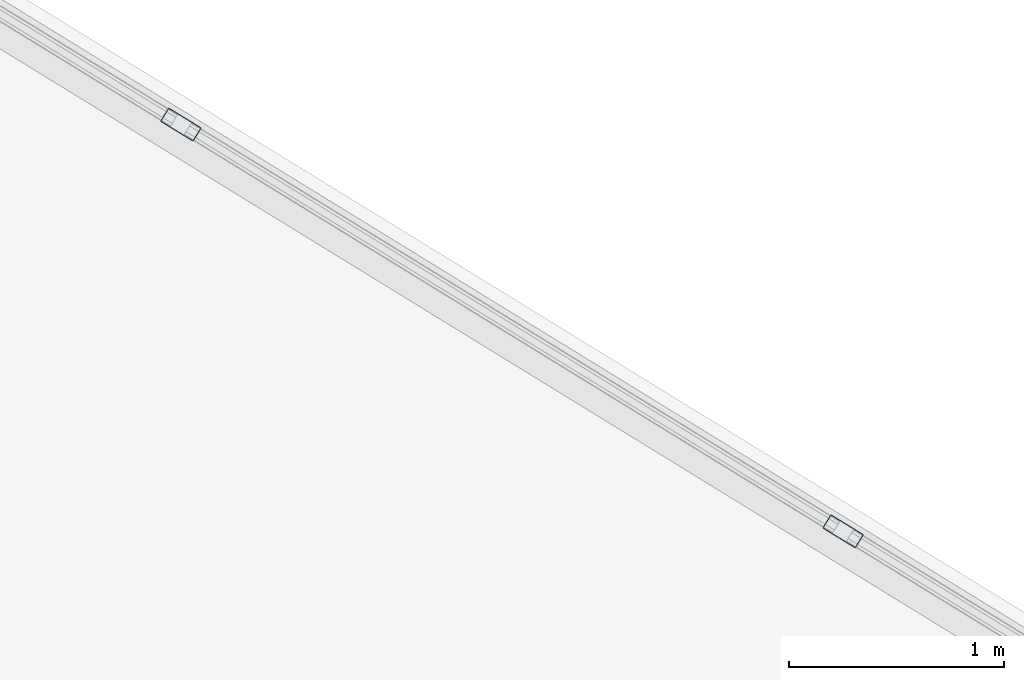
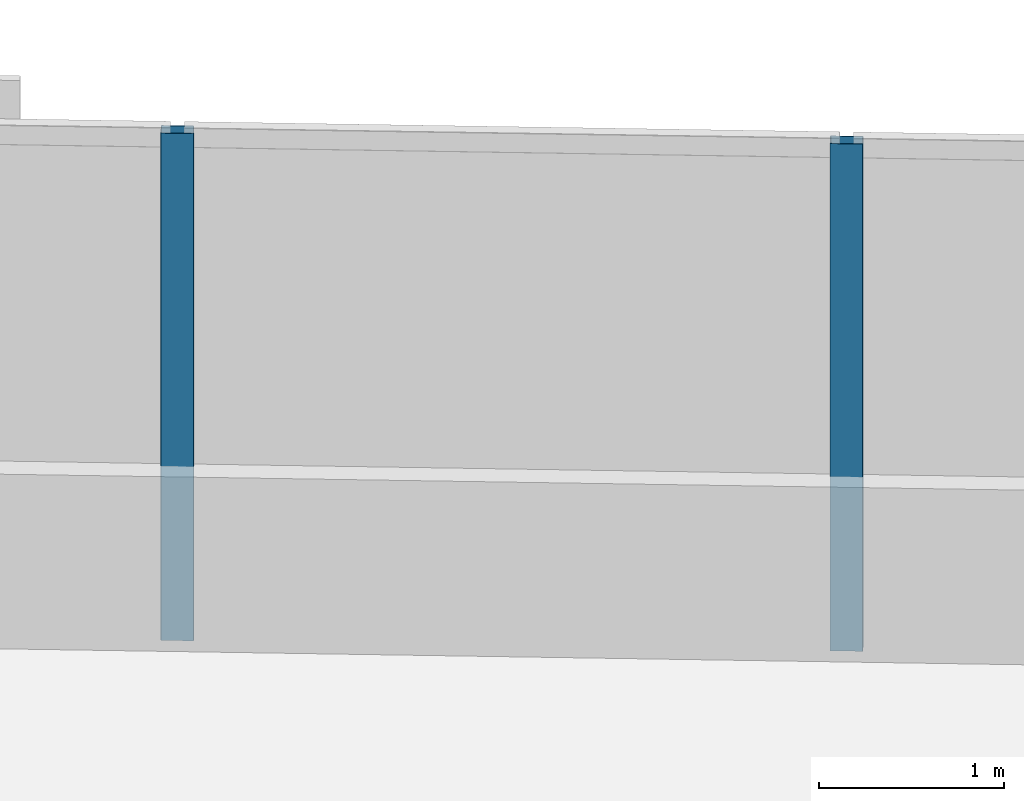
# One storey, part 8 of 18: 2 members, 1 element without a shape of its own.
"""IFC4 building model written with IfcOpenShell, lengths in metres."""

from ifc_helpers import new_model, si_unit, direction, frame, origin, origin_2d, place, context, subcontext, project, spatial, hollow_rectangle, extrude, material, material_profile, profile_set, type_object, element, aggregate, save


model = new_model("IFC4")

# Units and contexts
model_context = context("Model", 3, precision=1e-05, world=origin(), true_north=direction((0.0, 1.0)))
body_context = subcontext(model_context, "Body", "Model", "MODEL_VIEW")
ifc_project = project(units=[si_unit("LENGTHUNIT", "METRE"), si_unit("AREAUNIT", "SQUARE_METRE"), si_unit("VOLUMEUNIT", "CUBIC_METRE"), si_unit("PLANEANGLEUNIT", "RADIAN"), si_unit("MASSUNIT", "GRAM", prefix="KILO")], contexts=[model_context])

# Site, building, storey
site_placement = place(None, origin())
site = spatial("IfcSite", under=ifc_project, at=site_placement, CompositionType="ELEMENT")
building_placement = place(site_placement, origin())
building = spatial("IfcBuilding", under=site, at=building_placement, Name="Narakoshi Arena Tower", CompositionType="ELEMENT")
storey_placement = place(building_placement, frame((0.0, 0.0, 106.5)))
storey = spatial("IfcBuildingStorey", under=building, at=storey_placement, Name="L28", CompositionType="ELEMENT", Elevation=106.5)

# Curtain wall, members
ifc_material = material(Name="Anodised bronze aluminium 6063-T6", Category="aluminium")
curtain_wall_type = type_object("IfcCurtainWallType", Name="CW-HYP-LOW", PredefinedType="NOTDEFINED", material=ifc_material)
curtain_wall_placement = place(storey_placement, origin())
curtain_wall = element("IfcCurtainWall", 1, at=curtain_wall_placement, inside=storey, type_object=curtain_wall_type, Name="L28 Folded Hypotenuse Curtain Wall 1-1", PredefinedType="NOTDEFINED")
ifc_material_profile = material_profile(ifc_material, hollow_rectangle(XDim=0.074951171875, YDim=0.179931640625, WallThickness=0.00390625, OuterFilletRadius=0.0048828125, at=origin_2d()), Name="MUL180x75x4")
ifc_profile_set = profile_set([ifc_material_profile], Name="Anodised bronze aluminium 6063-T6")
member_type = type_object("IfcMemberType", Name="MEM-MUL-180", PredefinedType="MULLION", material=ifc_profile_set)
member_1_placement = place(storey_placement, frame((109.9638671875, 49.1982421875, 0.0), z_axis=(0.0, 0.0, 1.0), x_axis=(-0.523357676535, -0.852113104237, 0.0)))
member_1 = element("IfcMember", 2, at=member_1_placement, type_object=member_type, Name="CW-01 mullion 4", PredefinedType="MULLION", context=body_context, shape_type="SweptSolid", body=[
    extrude(hollow_rectangle(XDim=0.074951171875, YDim=0.179931640625, WallThickness=0.00390625, OuterFilletRadius=0.0048828125, at=origin_2d()), origin(), (0.0, 0.0, 1.0), 3.340087890625),
])
member_2_placement = place(storey_placement, frame((106.886962890625, 51.088134765625, 0.0), z_axis=(0.0, 0.0, 1.0), x_axis=(-0.523357676535, -0.852113104237, 0.0)))
member_2 = element("IfcMember", 3, at=member_2_placement, type_object=member_type, Name="CW-01 mullion 5", PredefinedType="MULLION", context=body_context, shape_type="SweptSolid", body=[
    extrude(hollow_rectangle(XDim=0.074951171875, YDim=0.179931640625, WallThickness=0.00390625, OuterFilletRadius=0.0048828125, at=origin_2d()), origin(), (0.0, 0.0, 1.0), 3.340087890625),
])
aggregate(curtain_wall, [member_1, member_2])

save(model, "model.ifc")
